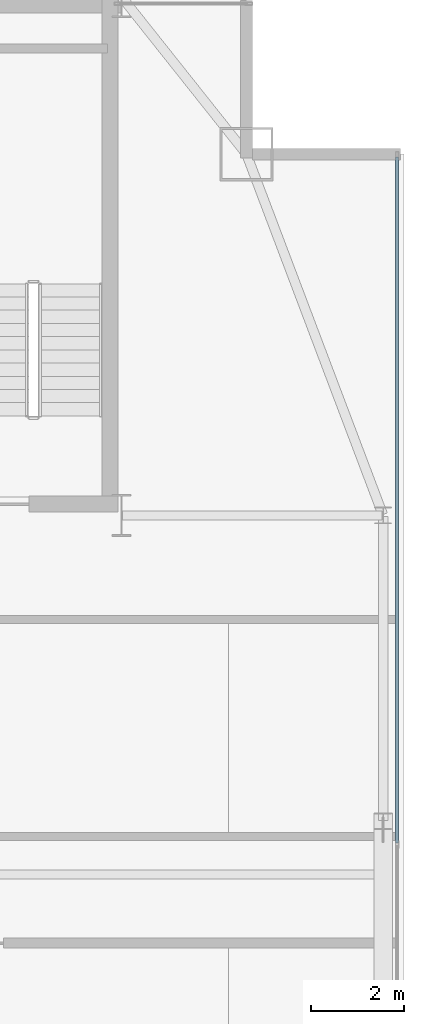
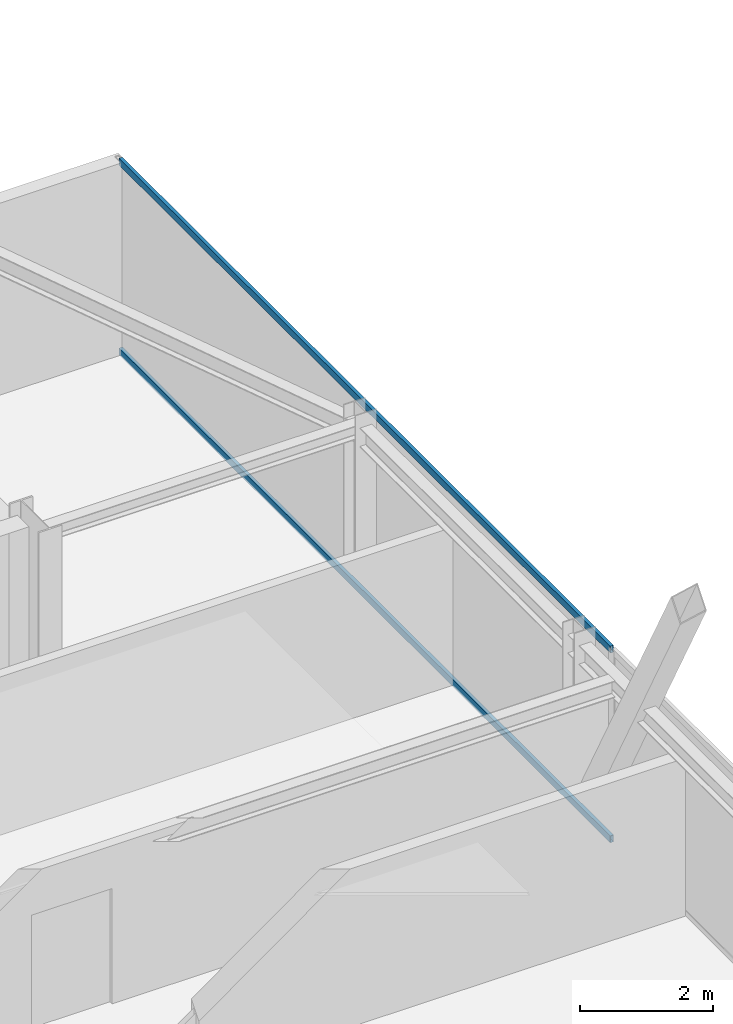
# One storey, part 20 of 31: 2 members, 1 element without a shape of its own.
"""IFC4 building model written with IfcOpenShell, lengths in metres."""

from ifc_helpers import new_model, si_unit, direction, frame, origin, origin_2d, place, context, subcontext, project, spatial, hollow_rectangle, extrude, source, transform, mapped, material, layer, layer_set, material_profile, profile_set, type_object, type_shapes, element, aggregate, save


model = new_model("IFC4")

# Units and contexts
model_context = context("Model", 3, precision=1e-05, world=origin(), true_north=direction((0.0, 1.0)))
body_context = subcontext(model_context, "Body", "Model", "MODEL_VIEW")
ifc_project = project(units=[si_unit("LENGTHUNIT", "METRE"), si_unit("AREAUNIT", "SQUARE_METRE"), si_unit("VOLUMEUNIT", "CUBIC_METRE"), si_unit("PLANEANGLEUNIT", "RADIAN"), si_unit("MASSUNIT", "GRAM", prefix="KILO")], contexts=[model_context])

# Site, building, storey
site_placement = place(None, origin())
site = spatial("IfcSite", under=ifc_project, at=site_placement, CompositionType="ELEMENT")
building_placement = place(site_placement, origin())
building = spatial("IfcBuilding", under=site, at=building_placement, Name="Varnel Quay Broadcast Tower", CompositionType="ELEMENT")
storey_placement = place(building_placement, frame((0.0, 0.0, 239.39990234375)))
storey = spatial("IfcBuildingStorey", under=building, at=storey_placement, Name="L59", CompositionType="ELEMENT", Elevation=239.39990234375)

# Curtain wall, members
ifc_material = material(Name="Anodised Bronze Aluminium 6063-T6", Category="aluminium")
ifc_layer = layer(ifc_material, 0.18994140625, Name="Anodised Bronze Aluminium 6063-T6")
ifc_layer_set = layer_set([ifc_layer], Name="Anodised Bronze Aluminium 6063-T6")
curtain_wall_type = type_object("IfcCurtainWallType", Name="CW_UpperTower", PredefinedType="NOTDEFINED", material=ifc_layer_set)
curtain_wall_placement = place(storey_placement, origin())
curtain_wall = element("IfcCurtainWall", 1, at=curtain_wall_placement, inside=storey, type_object=curtain_wall_type, Name="L59 East Unitised Curtain Wall", PredefinedType="NOTDEFINED")
ifc_material_profile = material_profile(ifc_material, hollow_rectangle(XDim=0.06005859375, YDim=0.125, WallThickness=0.0029296875, at=origin_2d()), Name="ALU60X125X3")
ifc_profile_set = profile_set([ifc_material_profile], Name="Anodised Bronze Aluminium 6063-T6")
member_type = type_object("IfcMemberType", Name="Tran_CWS-03", PredefinedType="USERDEFINED", material=ifc_profile_set)
shared_shape = source(origin(), body_context, "Body", "SweptSolid", [
    extrude(hollow_rectangle(XDim=0.06005859375, YDim=0.125, WallThickness=0.0029296875, at=origin_2d()), origin(), (0.0, 0.0, 1.0), 14.802490234375),
])
type_shapes(member_type, [shared_shape])
member_1_placement = place(storey_placement, frame((58.35009765625, 28.532470703125, 0.030029296875), z_axis=(0.0, 1.0, 0.0), x_axis=(-1.0, 0.0, 0.0)))
member_1 = element("IfcMember", 2, at=member_1_placement, type_object=member_type, Name="CWS-03 transom 2.1", ObjectType="TRANSOM", PredefinedType="USERDEFINED", context=body_context, shape_type="MappedRepresentation", body=[
    mapped(shared_shape, transform((0.0, 0.0, 0.0), x_axis=(1.0, 0.0, 0.0), y_axis=(0.0, 1.0, 0.0), z_axis=(0.0, 0.0, 1.0), scale=1.0)),
])
member_2_placement = place(storey_placement, frame((58.35009765625, 28.532470703125, 3.52001953125), z_axis=(0.0, 1.0, 0.0), x_axis=(-1.0, 0.0, 0.0)))
member_2 = element("IfcMember", 3, at=member_2_placement, type_object=member_type, Name="CWS-03 transom 2.2", ObjectType="TRANSOM", PredefinedType="USERDEFINED", context=body_context, shape_type="MappedRepresentation", body=[
    mapped(shared_shape, transform((0.0, 0.0, 0.0), x_axis=(1.0, 0.0, 0.0), y_axis=(0.0, 1.0, 0.0), z_axis=(0.0, 0.0, 1.0), scale=1.0)),
])
aggregate(curtain_wall, [member_1, member_2])

save(model, "model.ifc")
